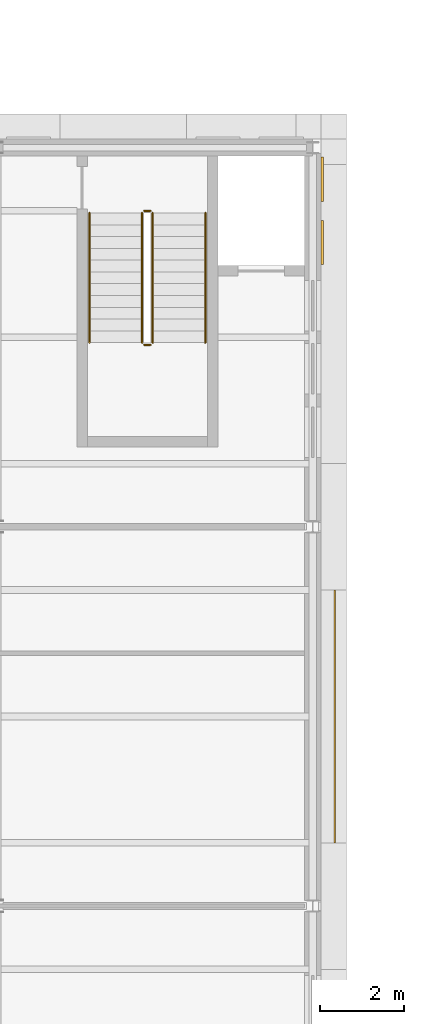
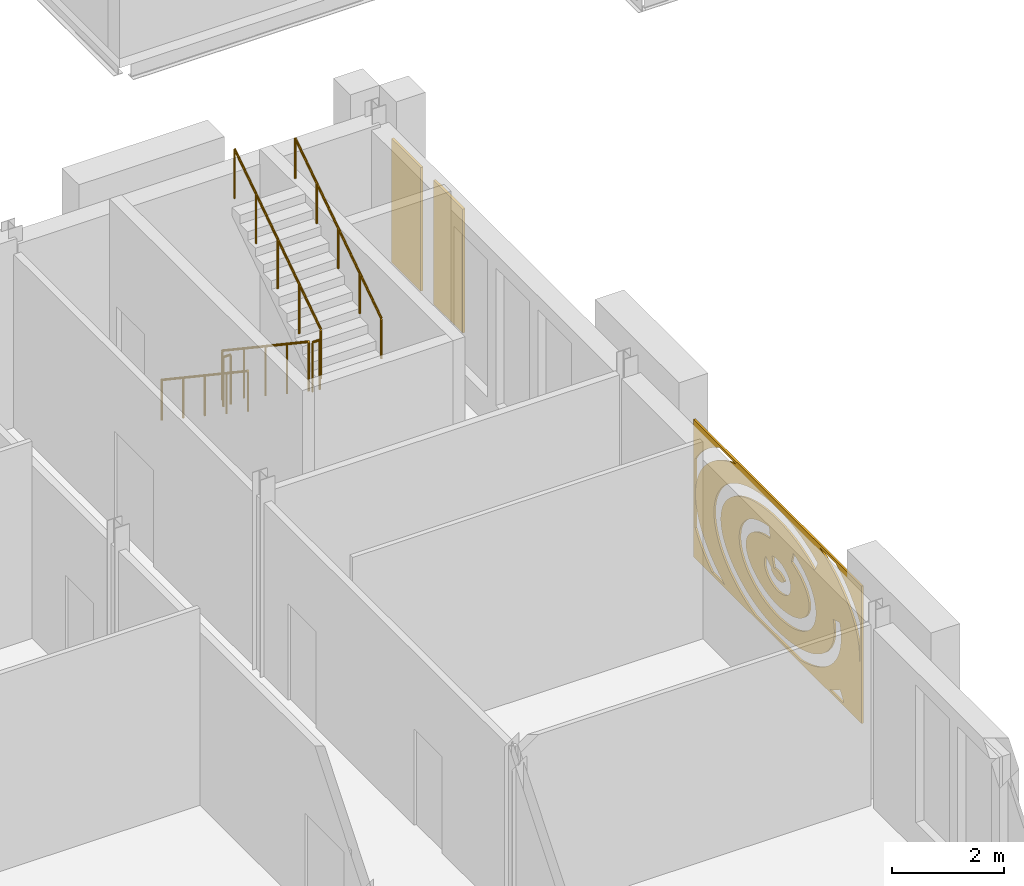
# One storey, part 118 of 134: 6 railings, 3 coverings.
"""IFC4 building model written with IfcOpenShell, lengths in metres."""

import ifcopenshell
import ifcopenshell.guid

model = None  # the IFC model being written
_history = None  # IfcOwnerHistory: only IFC2X3 demands one
_inside = {}  # id of a spatial element -> (the spatial element, [elements in it])
_under = {}  # id of a project, library or spatial element -> (it, [spatial elements below it])
_declared = {}  # id of a project -> (the project, [libraries it declares])
_typed = {}  # id of a type object -> (the type object, [elements of that type])
_made_of = {}  # id of a material, layer set ... -> (it, [elements and type objects made of it])


def new_model(schema):
    """Start an empty IFC model of exactly this schema.

    Asked for "IFC4X3", IfcOpenShell would pick the latest addendum, in which some entities
    have other attributes; the version numbers below select the first issue.
    IFC2X3 requires an IfcOwnerHistory on every rooted entity: one is made here for all.
    """
    global model, _history
    if schema == "IFC4X3":
        model = ifcopenshell.file(schema_version=(4, 3, 0, 0))
    else:
        model = ifcopenshell.file(schema=schema)
    _inside.clear()
    _under.clear()
    _declared.clear()
    _typed.clear()
    _made_of.clear()
    _history = None
    if model.schema == "IFC2X3":
        org = make("IfcOrganization", Name="unknown")
        user = make(
            "IfcPersonAndOrganization",
            ThePerson=make("IfcPerson", FamilyName="unknown"),
            TheOrganization=org,
        )
        app = make(
            "IfcApplication",
            ApplicationDeveloper=org,
            Version="unknown",
            ApplicationFullName="unknown",
            ApplicationIdentifier="unknown",
        )
        _history = make(
            "IfcOwnerHistory",
            OwningUser=user,
            OwningApplication=app,
            ChangeAction="ADDED",
            CreationDate=0,
        )
    return model


def make(cls, **values):
    """One entity of the class cls with the attributes given. An attribute that is None is left unset."""
    return model.create_entity(
        cls, **{name: value for name, value in values.items() if value is not None}
    )


def rooted(cls, **values):
    """An entity with a GlobalId (a new one), such as an element, a storey or a relation."""
    return make(cls, GlobalId=ifcopenshell.guid.new(), OwnerHistory=_history, **values)


def si_unit(unit_type, name, prefix=None):
    """IfcSIUnit, for example si_unit("LENGTHUNIT", "METRE", prefix="MILLI")."""
    return make("IfcSIUnit", UnitType=unit_type, Prefix=prefix, Name=name)


def assignment(units):
    """IfcUnitAssignment: the units of a project."""
    return None if units is None else make("IfcUnitAssignment", Units=units)


def point(xyz):
    """IfcCartesianPoint."""
    return None if xyz is None else make("IfcCartesianPoint", Coordinates=xyz)


def direction(xyz):
    """IfcDirection."""
    return None if xyz is None else make("IfcDirection", DirectionRatios=xyz)


def frame(location, z_axis=None, x_axis=None):
    """IfcAxis2Placement3D, a coordinate frame: its origin and axes. An axis left out is left unset."""
    return make(
        "IfcAxis2Placement3D",
        Location=point(location),
        Axis=direction(z_axis),
        RefDirection=direction(x_axis),
    )


def frame_2d(location, x_axis=None):
    """IfcAxis2Placement2D, a coordinate frame in the plane: its origin and x axis."""
    return make(
        "IfcAxis2Placement2D", Location=point(location), RefDirection=direction(x_axis)
    )


def origin():
    """The frame at (0, 0, 0) with its axes left unset."""
    return frame((0.0, 0.0, 0.0))


def origin_2d():
    """The frame at (0, 0) in the plane with its x axis left unset."""
    return frame_2d((0.0, 0.0))


def place(relative_to, where):
    """IfcLocalPlacement: puts the frame where relative to a parent placement (None: the world)."""
    return make(
        "IfcLocalPlacement", PlacementRelTo=relative_to, RelativePlacement=where
    )


def context(
    kind, dimensions, precision=None, world=None, true_north=None, identifier=None
):
    """IfcGeometricRepresentationContext, for example the 3D "Model" context."""
    return make(
        "IfcGeometricRepresentationContext",
        ContextIdentifier=identifier,
        ContextType=kind,
        CoordinateSpaceDimension=dimensions,
        Precision=precision,
        WorldCoordinateSystem=world,
        TrueNorth=true_north,
    )


def subcontext(parent, identifier, kind, view, scale=None):
    """IfcGeometricRepresentationSubContext, for example "Body" below "Model"."""
    return make(
        "IfcGeometricRepresentationSubContext",
        ContextIdentifier=identifier,
        ContextType=kind,
        ParentContext=parent,
        TargetScale=scale,
        TargetView=view,
    )


def project(units=None, contexts=None):
    """IfcProject with its units and contexts."""
    return rooted(
        "IfcProject",
        Name="project",
        RepresentationContexts=contexts,
        UnitsInContext=assignment(units),
    )


def spatial(cls, under=None, at=None, **own):
    """A site, building, storey or space (cls), placed at a placement, below another one or the project."""
    s = rooted(cls, ObjectPlacement=at, **own)
    if under is not None:
        _under.setdefault(under.id(), (under, []))[1].append(s)
    return s


def polyline(points):
    """IfcPolyline through the points."""
    return make("IfcPolyline", Points=[point(p) for p in points])


def profile(cls, at=None, kind="AREA", **sizes):
    """A parametric profile (cls). Its sizes go by their IFC names, for example OverallWidth=200.0."""
    return make(cls, ProfileType=kind, Position=at, **sizes)


def circle(**sizes):
    """IfcCircleProfileDef."""
    return profile("IfcCircleProfileDef", **sizes)


def outline(outer, holes=None, kind="AREA"):
    """IfcArbitraryClosedProfileDef: a profile drawn as a closed curve; with holes, ...WithVoids."""
    if holes is None:
        return make("IfcArbitraryClosedProfileDef", ProfileType=kind, OuterCurve=outer)
    return make(
        "IfcArbitraryProfileDefWithVoids",
        ProfileType=kind,
        OuterCurve=outer,
        InnerCurves=holes,
    )


def extrude(swept, where, along, depth):
    """IfcExtrudedAreaSolid: the profile swept, set in the frame where, extruded along a direction by depth."""
    return make(
        "IfcExtrudedAreaSolid",
        SweptArea=swept,
        Position=where,
        ExtrudedDirection=direction(along),
        Depth=depth,
    )


def shape(context_of_items, identifier, shape_type, items):
    """IfcShapeRepresentation: the items that make up one representation, for example the "Body"."""
    return make(
        "IfcShapeRepresentation",
        ContextOfItems=context_of_items,
        RepresentationIdentifier=identifier,
        RepresentationType=shape_type,
        Items=items,
    )


def material(Name=None, Category=None):
    """IfcMaterial."""
    return make("IfcMaterial", Name=Name, Category=Category)


def layer(
    of_material, thickness, ventilated=None, Name=None, Category=None, Priority=None
):
    """IfcMaterialLayer: one layer of a wall or slab, of a material (None: an air gap)."""
    return make(
        "IfcMaterialLayer",
        Material=of_material,
        LayerThickness=thickness,
        IsVentilated=ventilated,
        Name=Name,
        Category=Category,
        Priority=Priority,
    )


def layer_set(layers, Name=None):
    """IfcMaterialLayerSet."""
    return make("IfcMaterialLayerSet", MaterialLayers=layers, LayerSetName=Name)


def made_of(thing, what):
    """Note that an element or type object is made of a material, layer set ...; save() writes the relation."""
    if what is not None:
        _made_of.setdefault(what.id(), (what, []))[1].append(thing)
    return thing


def type_object(cls, material=None, **own):
    """A type object (cls), such as IfcWallType, which elements share."""
    return made_of(rooted(cls, **own), material)


def element(
    cls,
    number,
    at=None,
    inside=None,
    cuts=None,
    type_object=None,
    material=None,
    context=None,
    identifier="Body",
    shape_type=None,
    held_by="IfcProductDefinitionShape",
    body=None,
    shapes=None,
    **own,
):
    """One element of the class cls, such as IfcWall. Its Tag is "e" and its number.

    at: its placement. inside: the storey or other place that contains it. cuts: it is an
    opening in that element (IfcRelVoidsElement). A single representation is given by context,
    identifier, shape_type and body (its items); several are given by shapes. held_by: the class
    of the entity that holds the representations. save() writes the other relations.
    """
    e = rooted(cls, Tag="e%d" % number, ObjectPlacement=at, **own)
    if body is not None:
        shapes = [shape(context, identifier, shape_type, body)]
    if shapes is not None:
        e.Representation = make(held_by, Representations=shapes)
    if inside is not None:
        _inside.setdefault(inside.id(), (inside, []))[1].append(e)
    if cuts is not None:
        rooted(
            "IfcRelVoidsElement", RelatingBuildingElement=cuts, RelatedOpeningElement=e
        )
    if type_object is not None:
        _typed.setdefault(type_object.id(), (type_object, []))[1].append(e)
    return made_of(e, material)


def aggregate(whole, parts):
    """IfcRelAggregates: a whole, such as a stair, and the parts it consists of."""
    return rooted("IfcRelAggregates", RelatingObject=whole, RelatedObjects=parts)


def save(model, path):
    """Write the relations noted so far, then the file.

    IfcRelAggregates (storeys below a building ...), IfcRelContainedInSpatialStructure (elements
    in a storey), IfcRelDefinesByType, IfcRelAssociatesMaterial and IfcRelDeclares: one each for
    every whole, place, type object, material and project.
    """
    for whole, parts in _under.values():
        aggregate(whole, parts)
    for where, things in _inside.values():
        rooted(
            "IfcRelContainedInSpatialStructure",
            RelatedElements=things,
            RelatingStructure=where,
        )
    for kind, things in _typed.values():
        rooted("IfcRelDefinesByType", RelatedObjects=things, RelatingType=kind)
    for what, things in _made_of.values():
        rooted("IfcRelAssociatesMaterial", RelatedObjects=things, RelatingMaterial=what)
    for by, libraries in _declared.values():
        rooted("IfcRelDeclares", RelatingContext=by, RelatedDefinitions=libraries)
    model.write(path)


model = new_model("IFC4")

# Units and contexts
model_context = context("Model", 3, precision=1e-05, world=origin(), true_north=direction((0.0, 1.0)))
body_context = subcontext(model_context, "Body", "Model", "MODEL_VIEW")
ifc_project = project(units=[si_unit("LENGTHUNIT", "METRE"), si_unit("AREAUNIT", "SQUARE_METRE"), si_unit("VOLUMEUNIT", "CUBIC_METRE"), si_unit("PLANEANGLEUNIT", "RADIAN"), si_unit("MASSUNIT", "GRAM", prefix="KILO")], contexts=[model_context])

# Site, building, storey
site_placement = place(None, origin())
site = spatial("IfcSite", under=ifc_project, at=site_placement, CompositionType="ELEMENT")
building_placement = place(site_placement, origin())
building = spatial("IfcBuilding", under=site, at=building_placement, Name="Golden Quay Civic Hall", CompositionType="ELEMENT")
storey_placement = place(building_placement, frame((0.0, 0.0, 5.39990234375)))
storey = spatial("IfcBuildingStorey", under=building, at=storey_placement, Name="L01", CompositionType="ELEMENT", Elevation=5.39990234375)

# Covering
ifc_material_1 = material(Name="Aluminium, golden anodised, perforated", Category="aluminium")
ifc_layer_1 = layer(ifc_material_1, 0.0400390625)
ifc_layer_set_1 = layer_set([ifc_layer_1], Name="Perforated screen panel 6000 x 3000 x 40")
covering_type_1 = type_object("IfcCoveringType", Name="Perforated screen panel 6000 x 3000 x 40", PredefinedType="CLADDING", material=ifc_layer_set_1)
covering_1_placement = place(storey_placement, frame((117.5, 40.5, 2.10009765625), z_axis=(1.0, 0.0, 0.0), x_axis=(0.0, 1.0, 0.0)))
element("IfcCovering", 1, at=covering_1_placement, inside=storey, type_object=covering_type_1, Name="Perforated screen panel 6000 x 3000 x 40 L01 9", PredefinedType="CLADDING", context=body_context, shape_type="SweptSolid", body=[
    extrude(outline(polyline([(-3.0, -1.5), (3.0, -1.5), (3.0, 1.5), (-3.0, 1.5), (-3.0, -1.5)]), holes=[polyline([(0.0810546875, 0.0087890625), (0.03125, 0.015380859375), (-0.02001953125, 0.01611328125), (-0.070556640625, 0.0107421875), (-0.1171875, 0.0), (-0.157470703125, -0.014892578125), (-0.201904296875, -0.04150390625), (-0.223876953125, -0.065185546875), (-0.228515625, -0.07470703125), (-0.228271484375, -0.085205078125), (-0.211181640625, -0.10986328125), (-0.17431640625, -0.13671875), (-0.1376953125, -0.1533203125), (-0.093994140625, -0.166259765625), (-0.044921875, -0.17431640625), (0.006103515625, -0.176513671875), (0.05712890625, -0.1728515625), (0.10498046875, -0.16357421875), (0.1474609375, -0.1494140625), (0.1953125, -0.123291015625), (0.215087890625, -0.10595703125), (0.227783203125, -0.087158203125), (0.227783203125, -0.072998046875), (0.2177734375, -0.055908203125), (0.421630859375, 0.072509765625), (0.449951171875, 0.020263671875), (0.4619140625, -0.015380859375), (0.46875, -0.052978515625), (0.469970703125, -0.09130859375), (0.46533203125, -0.12939453125), (0.455322265625, -0.16650390625), (0.440185546875, -0.20166015625), (0.412109375, -0.24560546875), (0.370849609375, -0.29052734375), (0.3330078125, -0.321044921875), (0.277587890625, -0.3544921875), (0.206787109375, -0.38427734375), (0.162109375, -0.397705078125), (0.085205078125, -0.412109375), (0.006103515625, -0.41748046875), (-0.0732421875, -0.41357421875), (-0.151123046875, -0.400146484375), (-0.2177734375, -0.380615234375), (-0.28662109375, -0.349853515625), (-0.326904296875, -0.3251953125), (-0.3759765625, -0.285888671875), (-0.40966796875, -0.248779296875), (-0.441650390625, -0.198486328125), (-0.461181640625, -0.147705078125), (-0.47021484375, -0.089599609375), (-0.466064453125, -0.033447265625), (-0.448974609375, 0.02294921875), (-0.431640625, 0.056884765625), (-0.41015625, 0.088134765625), (-0.37646484375, 0.125244140625), (-0.319091796875, 0.17041015625), (-0.253662109375, 0.2060546875), (-0.18212890625, 0.232177734375), (-0.144775390625, 0.24169921875), (-0.07421875, 0.25341796875), (0.01220703125, 0.25732421875), (0.084228515625, 0.252197265625), (0.123046875, 0.24609375), (0.1982421875, 0.227294921875), (0.13037109375, -0.00390625), (0.0810546875, 0.0087890625)]), polyline([(-0.6474609375, 0.453369140625), (-0.7177734375, 0.421875), (-0.783447265625, 0.387451171875), (-0.84423828125, 0.350341796875), (-0.8994140625, 0.31103515625), (-0.948974609375, 0.27001953125), (-0.992431640625, 0.227294921875), (-1.02978515625, 0.18359375), (-1.061279296875, 0.139404296875), (-1.08642578125, 0.0947265625), (-1.105712890625, 0.050048828125), (-1.119140625, 0.005615234375), (-1.126953125, -0.03857421875), (-1.12939453125, -0.082763671875), (-1.126220703125, -0.126953125), (-1.117919921875, -0.171142578125), (-1.103515625, -0.215576171875), (-1.083740234375, -0.26025390625), (-1.0576171875, -0.3046875), (-1.025634765625, -0.34912109375), (-0.9873046875, -0.392578125), (-0.943115234375, -0.43505859375), (-0.892822265625, -0.47607421875), (-0.8369140625, -0.51513671875), (-0.775634765625, -0.5517578125), (-0.709228515625, -0.5859375), (-0.638427734375, -0.6171875), (-0.5634765625, -0.64501953125), (-0.48486328125, -0.66943359375), (-0.403076171875, -0.690185546875), (-0.318603515625, -0.707275390625), (-0.232177734375, -0.72021484375), (-0.144287109375, -0.72900390625), (-0.055419921875, -0.733642578125), (0.03369140625, -0.734130859375), (0.122802734375, -0.73046875), (0.2109375, -0.72265625), (0.2978515625, -0.710693359375), (0.3828125, -0.694580078125), (0.46533203125, -0.6748046875), (0.544677734375, -0.6513671875), (0.62060546875, -0.624267578125), (0.692626953125, -0.59375), (0.760009765625, -0.560302734375), (0.822509765625, -0.524169921875), (0.8798828125, -0.485595703125), (0.931396484375, -0.4453125), (0.977294921875, -0.403076171875), (1.016845703125, -0.359619140625), (1.050537109375, -0.315673828125), (1.077880859375, -0.27099609375), (1.099365234375, -0.226318359375), (1.114990234375, -0.181884765625), (1.124755859375, -0.1376953125), (1.129150390625, -0.093505859375), (1.1279296875, -0.04931640625), (1.12158203125, -0.005126953125), (1.109619140625, 0.039306640625), (1.091796875, 0.083984375), (1.06787109375, 0.12841796875), (1.0380859375, 0.1728515625), (1.002197265625, 0.216796875), (0.9599609375, 0.259765625), (0.911865234375, 0.30126953125), (0.858154296875, 0.341064453125), (0.798583984375, 0.378662109375), (0.734130859375, 0.413818359375), (0.6650390625, 0.446044921875), (0.59130859375, 0.47509765625), (0.513916015625, 0.5009765625), (0.433349609375, 0.523193359375), (0.349853515625, 0.54150390625), (0.26123046875, 0.556396484375), (0.30126953125, 0.7939453125), (0.392822265625, 0.778564453125), (0.488037109375, 0.7578125), (0.587158203125, 0.73046875), (0.670654296875, 0.70263671875), (0.757080078125, 0.668701171875), (0.83935546875, 0.630615234375), (0.92431640625, 0.584228515625), (0.997802734375, 0.537353515625), (1.05859375, 0.4921875), (1.121337890625, 0.438720703125), (1.177734375, 0.381591796875), (1.23486328125, 0.31201171875), (1.277587890625, 0.2470703125), (1.307373046875, 0.19140625), (1.335693359375, 0.122314453125), (1.35595703125, 0.051025390625), (1.36865234375, -0.0361328125), (1.369384765625, -0.109619140625), (1.361328125, -0.182861328125), (1.344482421875, -0.254638671875), (1.32470703125, -0.31201171875), (1.286376953125, -0.39208984375), (1.245849609375, -0.456787109375), (1.205322265625, -0.510009765625), (1.14404296875, -0.576904296875), (1.083984375, -0.6318359375), (1.025146484375, -0.677978515625), (0.946533203125, -0.730712890625), (0.870361328125, -0.7744140625), (0.79638671875, -0.811279296875), (0.704833984375, -0.849853515625), (0.616455078125, -0.88134765625), (0.524658203125, -0.908203125), (0.430419921875, -0.930908203125), (0.339599609375, -0.947998046875), (0.2353515625, -0.96240234375), (0.135498046875, -0.97119140625), (0.035400390625, -0.97509765625), (-0.0595703125, -0.974609375), (-0.159912109375, -0.969482421875), (-0.264892578125, -0.958740234375), (-0.357421875, -0.945068359375), (-0.453369140625, -0.92578125), (-0.55322265625, -0.900390625), (-0.63818359375, -0.8740234375), (-0.725830078125, -0.841796875), (-0.809814453125, -0.804931640625), (-0.889404296875, -0.764404296875), (-0.96435546875, -0.719482421875), (-1.034423828125, -0.6708984375), (-1.09912109375, -0.618896484375), (-1.15771484375, -0.56298828125), (-1.21728515625, -0.4951171875), (-1.2626953125, -0.431396484375), (-1.30078125, -0.364501953125), (-1.326416015625, -0.307861328125), (-1.349609375, -0.2373046875), (-1.3662109375, -0.150634765625), (-1.3701171875, -0.091796875), (-1.3671875, -0.018310546875), (-1.351806640625, 0.068603515625), (-1.32958984375, 0.13916015625), (-1.29931640625, 0.20751953125), (-1.261474609375, 0.2734375), (-1.223388671875, 0.327392578125), (-1.171875, 0.38818359375), (-1.114013671875, 0.445556640625), (-1.042724609375, 0.504638671875), (-0.973388671875, 0.5537109375), (-0.89892578125, 0.598876953125), (-0.81982421875, 0.64013671875), (-0.736328125, 0.67724609375), (-0.649169921875, 0.710205078125), (-0.564697265625, 0.7373046875), (-0.49169921875, 0.507568359375), (-0.572998046875, 0.481689453125), (-0.6474609375, 0.453369140625)]), polyline([(-2.023193359375, 0.012939453125), (-2.029052734375, -0.059814453125), (-2.02734375, -0.13232421875), (-2.018310546875, -0.205078125), (-2.001708984375, -0.277587890625), (-1.977294921875, -0.349853515625), (-1.9453125, -0.421875), (-1.905517578125, -0.492919921875), (-1.85791015625, -0.563232421875), (-1.802734375, -0.632080078125), (-1.739990234375, -0.69921875), (-1.669921875, -0.764404296875), (-1.592529296875, -0.8271484375), (-1.50830078125, -0.886962890625), (-1.417724609375, -0.94384765625), (-1.32080078125, -0.997314453125), (-1.218017578125, -1.046875), (-1.110107421875, -1.092529296875), (-0.997314453125, -1.1337890625), (-0.88037109375, -1.1708984375), (-0.759521484375, -1.203125), (-0.635009765625, -1.230712890625), (-0.508056640625, -1.25341796875), (-0.37890625, -1.27099609375), (-0.248046875, -1.283203125), (-0.115966796875, -1.29052734375), (0.0166015625, -1.29248046875), (0.14892578125, -1.289306640625), (0.280517578125, -1.28076171875), (0.4111328125, -1.26708984375), (0.539794921875, -1.248291015625), (0.666259765625, -1.224365234375), (0.789794921875, -1.195556640625), (0.909912109375, -1.162109375), (1.02587890625, -1.1240234375), (1.137451171875, -1.08154296875), (1.244140625, -1.034912109375), (1.345458984375, -0.984130859375), (1.44091796875, -0.929931640625), (1.52978515625, -0.872314453125), (1.6123046875, -0.811767578125), (1.68798828125, -0.748291015625), (1.75634765625, -0.6826171875), (1.817138671875, -0.614990234375), (1.87060546875, -0.5458984375), (1.916015625, -0.475341796875), (1.953857421875, -0.404052734375), (1.98388671875, -0.33203125), (2.00634765625, -0.259521484375), (2.021240234375, -0.18701171875), (2.028564453125, -0.1142578125), (2.0283203125, -0.04150390625), (2.0205078125, 0.031005859375), (2.00537109375, 0.103759765625), (1.982421875, 0.176025390625), (1.951904296875, 0.248046875), (1.913818359375, 0.3193359375), (1.86767578125, 0.389892578125), (1.81396484375, 0.458984375), (1.752685546875, 0.5263671875), (1.683837890625, 0.592041015625), (1.60791015625, 0.6552734375), (1.525146484375, 0.7158203125), (1.435546875, 0.773193359375), (1.33984375, 0.8271484375), (1.23828125, 0.87744140625), (1.13134765625, 0.924072265625), (1.01953125, 0.96630859375), (0.9033203125, 1.004150390625), (0.782958984375, 1.037353515625), (0.6591796875, 1.06591796875), (0.53271484375, 1.08935546875), (0.40380859375, 1.10791015625), (0.273193359375, 1.121337890625), (0.1416015625, 1.12939453125), (0.009033203125, 1.132568359375), (-0.123291015625, 1.130126953125), (-0.25537109375, 1.122802734375), (-0.385986328125, 1.110107421875), (-0.515380859375, 1.09228515625), (-0.64208984375, 1.0693359375), (-0.76611328125, 1.04150390625), (-0.886962890625, 1.0087890625), (-1.00390625, 0.9716796875), (-1.116455078125, 0.929931640625), (-1.22412109375, 0.884033203125), (-1.3291015625, 0.8330078125), (-1.434814453125, 1.04931640625), (-1.3212890625, 1.1044921875), (-1.208251953125, 1.15283203125), (-1.07958984375, 1.200439453125), (-0.952392578125, 1.24072265625), (-0.821533203125, 1.27587890625), (-0.6923828125, 1.304931640625), (-0.55078125, 1.33056640625), (-0.411865234375, 1.349609375), (-0.276123046875, 1.36279296875), (-0.1298828125, 1.37109375), (0.00732421875, 1.373291015625), (0.1494140625, 1.370361328125), (0.290771484375, 1.361572265625), (0.430908203125, 1.347412109375), (0.574462890625, 1.32666015625), (0.705810546875, 1.30224609375), (0.839599609375, 1.271484375), (0.97509765625, 1.23388671875), (1.0966796875, 1.194580078125), (1.21923828125, 1.148193359375), (1.3427734375, 1.0947265625), (1.449951171875, 1.04150390625), (1.556884765625, 0.981201171875), (1.664306640625, 0.912353515625), (1.753173828125, 0.847412109375), (1.841064453125, 0.774658203125), (1.927978515625, 0.691650390625), (1.99560546875, 0.617431640625), (2.06103515625, 0.53369140625), (2.12353515625, 0.437744140625), (2.1669921875, 0.357177734375), (2.20654296875, 0.264892578125), (2.239990234375, 0.158935546875), (2.257568359375, 0.07470703125), (2.2685546875, -0.0224609375), (2.26953125, -0.119873046875), (2.258544921875, -0.229248046875), (2.23828125, -0.3251953125), (2.20849609375, -0.419677734375), (2.169189453125, -0.511962890625), (2.12109375, -0.601806640625), (2.064453125, -0.68896484375), (1.999267578125, -0.772705078125), (1.926513671875, -0.853515625), (1.845947265625, -0.930419921875), (1.75830078125, -1.003662109375), (1.669677734375, -1.068603515625), (1.568603515625, -1.134033203125), (1.461669921875, -1.1953125), (1.34912109375, -1.251708984375), (1.2314453125, -1.303466796875), (1.10888671875, -1.35009765625), (0.982421875, -1.391845703125), (0.802490234375, -1.43994140625), (-0.80419921875, -1.43994140625), (-0.9501953125, -1.4013671875), (-1.072509765625, -1.36279296875), (-1.196044921875, -1.317626953125), (-1.3203125, -1.264892578125), (-1.4287109375, -1.212646484375), (-1.536865234375, -1.153076171875), (-1.645263671875, -1.085205078125), (-1.7353515625, -1.02099609375), (-1.82470703125, -0.948974609375), (-1.9130859375, -0.86669921875), (-1.98779296875, -0.786376953125), (-2.049072265625, -0.7099609375), (-2.10791015625, -0.623779296875), (-2.1630859375, -0.52490234375), (-2.19970703125, -0.44287109375), (-2.231689453125, -0.348876953125), (-2.25439453125, -0.253173828125), (-2.26806640625, -0.14404296875), (-2.269775390625, -0.046630859375), (-2.26123046875, 0.050537109375), (-2.242919921875, 0.146728515625), (-2.21875, 0.230712890625), (-1.9873046875, 0.163818359375), (-2.010009765625, 0.085693359375), (-2.023193359375, 0.012939453125)]), polyline([(-2.008056640625, -1.365478515625), (-1.868408203125, -1.43994140625), (-2.34033203125, -1.43994140625), (-2.369140625, -1.42041015625), (-2.234619140625, -1.220703125), (-2.123291015625, -1.2958984375), (-2.008056640625, -1.365478515625)]), polyline([(1.86865234375, -1.43994140625), (2.0029296875, -1.368408203125), (2.118408203125, -1.298828125), (2.227294921875, -1.225830078125), (2.3291015625, -1.1494140625), (2.423583984375, -1.06982421875), (2.510498046875, -0.98779296875), (2.589599609375, -0.9033203125), (2.660400390625, -0.816650390625), (2.723388671875, -0.728271484375), (2.77783203125, -0.63818359375), (2.823974609375, -0.54736328125), (2.86181640625, -0.455322265625), (2.89111328125, -0.36279296875), (2.912353515625, -0.269775390625), (2.925048828125, -0.176513671875), (2.929443359375, -0.0830078125), (2.925537109375, 0.010498046875), (2.913330078125, 0.10400390625), (2.892822265625, 0.197021484375), (2.864013671875, 0.28955078125), (2.82666015625, 0.381591796875), (2.781005859375, 0.47265625), (2.726806640625, 0.5625), (2.66455078125, 0.651123046875), (2.593994140625, 0.73779296875), (2.515625, 0.822509765625), (2.42919921875, 0.90478515625), (2.335205078125, 0.984619140625), (2.23388671875, 1.06103515625), (2.12548828125, 1.134521484375), (2.01025390625, 1.2041015625), (1.888671875, 1.27001953125), (1.760986328125, 1.331787109375), (1.6279296875, 1.389404296875), (1.495849609375, 1.43994140625), (2.080810546875, 1.43994140625), (2.252685546875, 1.339111328125), (2.371337890625, 1.2587890625), (2.483154296875, 1.1748046875), (2.587646484375, 1.08642578125), (2.6845703125, 0.994384765625), (2.778564453125, 0.892822265625), (2.859130859375, 0.793212890625), (2.93994140625, 0.67578125), (2.93994140625, -0.83544921875), (2.849365234375, -0.966064453125), (2.76806640625, -1.064697265625), (2.683837890625, -1.155029296875), (2.586669921875, -1.247314453125), (2.481689453125, -1.3359375), (2.34033203125, -1.43994140625), (1.86865234375, -1.43994140625)]), polyline([(-1.616943359375, 1.393798828125), (-1.75048828125, 1.336669921875), (-1.878662109375, 1.275146484375), (-2.00048828125, 1.209716796875), (-2.1162109375, 1.14013671875), (-2.225341796875, 1.067138671875), (-2.327392578125, 0.99072265625), (-2.421875, 0.911376953125), (-2.5087890625, 0.829345703125), (-2.588134765625, 0.744873046875), (-2.6591796875, 0.658203125), (-2.72216796875, 0.56982421875), (-2.77685546875, 0.47998046875), (-2.8232421875, 0.388916015625), (-2.861083984375, 0.297119140625), (-2.890625, 0.20458984375), (-2.912109375, 0.111328125), (-2.9248046875, 0.01806640625), (-2.929443359375, -0.075439453125), (-2.925537109375, -0.17431640625), (-2.93994140625, -0.1748046875), (-2.93994140625, 0.67529296875), (-2.85302734375, 0.801513671875), (-2.771728515625, 0.90087890625), (-2.677001953125, 1.001953125), (-2.579345703125, 1.09375), (-2.474365234375, 1.181640625), (-2.362060546875, 1.265380859375), (-2.247802734375, 1.342041015625), (-2.080810546875, 1.43994140625), (-1.4951171875, 1.43994140625), (-1.616943359375, 1.393798828125)])]), origin(), (0.0, 0.0, 1.0), 0.0400390625),
])

# Railings
ifc_material_2 = material(Name="Steel S355", Category="steel")
railing_type_1 = type_object("IfcRailingType", Name="Steel guard 1100", PredefinedType="GUARDRAIL", material=ifc_material_2)
railing_1_placement = place(storey_placement, frame((112.949951171875, 52.449951171875, 0.1875)))
element("IfcRailing", 2, at=railing_1_placement, inside=storey, type_object=railing_type_1, Name="L01 EM-N stair guard 1", PredefinedType="GUARDRAIL", context=body_context, shape_type="SweptSolid", body=[
    extrude(circle(Radius=0.02392578125, at=origin_2d()), frame((0.0, 0.0, 1.076171875), z_axis=(0.0, -0.830893310487, 0.556431762742), x_axis=(1.0, 0.0, 0.0)), (0.0, 0.0, 1.0), 3.70654296875),
    extrude(circle(Radius=0.02099609375, at=origin_2d()), origin(), (0.0, 0.0, 1.0), 1.052001953125),
    extrude(circle(Radius=0.02099609375, at=origin_2d()), frame((0.0, -0.77001953125, 0.515625)), (0.0, 0.0, 1.0), 1.052001953125),
    extrude(circle(Radius=0.02099609375, at=origin_2d()), frame((0.0, -1.5400390625, 1.03125)), (0.0, 0.0, 1.0), 1.052001953125),
    extrude(circle(Radius=0.02099609375, at=origin_2d()), frame((0.0, -2.309814453125, 1.546875)), (0.0, 0.0, 1.0), 1.052001953125),
    extrude(circle(Radius=0.02099609375, at=origin_2d()), frame((0.0, -3.079833984375, 2.0625)), (0.0, 0.0, 1.0), 1.052001953125),
])
railing_2_placement = place(storey_placement, frame((113.0, 49.320068359375, 2.25)))
element("IfcRailing", 3, at=railing_2_placement, inside=storey, type_object=railing_type_1, Name="L01 EM-N stair guard 2", PredefinedType="GUARDRAIL", context=body_context, shape_type="SweptSolid", body=[
    extrude(circle(Radius=0.02392578125, at=origin_2d()), frame((0.0, 0.0, 1.076171875), z_axis=(1.0, 0.0, 0.0), x_axis=(0.0, 1.0, 0.0)), (0.0, 0.0, 1.0), 0.14990234375),
    extrude(circle(Radius=0.02099609375, at=origin_2d()), origin(), (0.0, 0.0, 1.0), 1.052001953125),
    extrude(circle(Radius=0.02099609375, at=origin_2d()), frame((0.14990234375, 0.0, 0.0)), (0.0, 0.0, 1.0), 1.052001953125),
])
railing_3_placement = place(storey_placement, frame((113.199951171875, 49.3701171875, 2.4375)))
element("IfcRailing", 4, at=railing_3_placement, inside=storey, type_object=railing_type_1, Name="L01 EM-N stair guard 3", PredefinedType="GUARDRAIL", context=body_context, shape_type="SweptSolid", body=[
    extrude(circle(Radius=0.02392578125, at=origin_2d()), frame((0.0, 0.0, 1.076171875), z_axis=(0.0, 0.830893310487, 0.556431762742), x_axis=(-1.0, 0.0, 0.0)), (0.0, 0.0, 1.0), 3.70654296875),
    extrude(circle(Radius=0.02099609375, at=origin_2d()), origin(), (0.0, 0.0, 1.0), 1.052001953125),
    extrude(circle(Radius=0.02099609375, at=origin_2d()), frame((0.0, 0.77001953125, 0.515625)), (0.0, 0.0, 1.0), 1.052001953125),
    extrude(circle(Radius=0.02099609375, at=origin_2d()), frame((0.0, 1.5400390625, 1.03125)), (0.0, 0.0, 1.0), 1.052001953125),
    extrude(circle(Radius=0.02099609375, at=origin_2d()), frame((0.0, 2.309814453125, 1.546875)), (0.0, 0.0, 1.0), 1.052001953125),
    extrude(circle(Radius=0.02099609375, at=origin_2d()), frame((0.0, 3.079833984375, 2.0625)), (0.0, 0.0, 1.0), 1.052001953125),
])
railing_4_placement = place(storey_placement, frame((113.0, 52.5, 0.0)))
element("IfcRailing", 5, at=railing_4_placement, inside=storey, type_object=railing_type_1, Name="L01 EM-N stair guard 4", PredefinedType="GUARDRAIL", context=body_context, shape_type="SweptSolid", body=[
    extrude(circle(Radius=0.02392578125, at=origin_2d()), frame((0.0, 0.0, 1.076171875), z_axis=(1.0, 0.0, 0.0), x_axis=(0.0, 1.0, 0.0)), (0.0, 0.0, 1.0), 0.14990234375),
    extrude(circle(Radius=0.02099609375, at=origin_2d()), origin(), (0.0, 0.0, 1.0), 1.052001953125),
    extrude(circle(Radius=0.02099609375, at=origin_2d()), frame((0.14990234375, 0.0, 0.0)), (0.0, 0.0, 1.0), 1.052001953125),
])
ifc_material_3 = material(Name="Steel S355", Category="steel")
railing_type_2 = type_object("IfcRailingType", Name="Steel handrail 900", PredefinedType="HANDRAIL", material=ifc_material_3)
railing_5_placement = place(storey_placement, frame((111.699951171875, 52.449951171875, 0.1875)))
element("IfcRailing", 6, at=railing_5_placement, inside=storey, type_object=railing_type_2, Name="L01 EM-N stair handrail 1", PredefinedType="HANDRAIL", context=body_context, shape_type="SweptSolid", body=[
    extrude(circle(Radius=0.02392578125, at=origin_2d()), frame((0.0, 0.0, 0.8759765625), z_axis=(0.0, -0.830893310487, 0.556431762742), x_axis=(1.0, 0.0, 0.0)), (0.0, 0.0, 1.0), 3.70654296875),
    extrude(circle(Radius=0.02099609375, at=origin_2d()), origin(), (0.0, 0.0, 1.0), 0.851806640625),
    extrude(circle(Radius=0.02099609375, at=origin_2d()), frame((0.0, -0.77001953125, 0.515625)), (0.0, 0.0, 1.0), 0.851806640625),
    extrude(circle(Radius=0.02099609375, at=origin_2d()), frame((0.0, -1.5400390625, 1.03125)), (0.0, 0.0, 1.0), 0.851806640625),
    extrude(circle(Radius=0.02099609375, at=origin_2d()), frame((0.0, -2.309814453125, 1.546875)), (0.0, 0.0, 1.0), 0.851806640625),
    extrude(circle(Radius=0.02099609375, at=origin_2d()), frame((0.0, -3.079833984375, 2.0625)), (0.0, 0.0, 1.0), 0.851806640625),
])
railing_6_placement = place(storey_placement, frame((114.449951171875, 49.3701171875, 2.4375)))
element("IfcRailing", 7, at=railing_6_placement, inside=storey, type_object=railing_type_2, Name="L01 EM-N stair handrail 2", PredefinedType="HANDRAIL", context=body_context, shape_type="SweptSolid", body=[
    extrude(circle(Radius=0.02392578125, at=origin_2d()), frame((0.0, 0.0, 0.8759765625), z_axis=(0.0, 0.830893310487, 0.556431762742), x_axis=(-1.0, 0.0, 0.0)), (0.0, 0.0, 1.0), 3.70654296875),
    extrude(circle(Radius=0.02099609375, at=origin_2d()), origin(), (0.0, 0.0, 1.0), 0.851806640625),
    extrude(circle(Radius=0.02099609375, at=origin_2d()), frame((0.0, 0.77001953125, 0.515625)), (0.0, 0.0, 1.0), 0.851806640625),
    extrude(circle(Radius=0.02099609375, at=origin_2d()), frame((0.0, 1.5400390625, 1.03125)), (0.0, 0.0, 1.0), 0.851806640625),
    extrude(circle(Radius=0.02099609375, at=origin_2d()), frame((0.0, 2.309814453125, 1.546875)), (0.0, 0.0, 1.0), 0.851806640625),
    extrude(circle(Radius=0.02099609375, at=origin_2d()), frame((0.0, 3.079833984375, 2.0625)), (0.0, 0.0, 1.0), 0.851806640625),
])

# Coverings
ifc_material_4 = material(Name="Terracotta cladding, golden glaze", Category="masonry")
ifc_layer_2 = layer(ifc_material_4, 0.050048828125)
ifc_layer_set_2 = layer_set([ifc_layer_2], Name="Terracotta solid panel 1050 x 2700 x 50")
covering_type_2 = type_object("IfcCoveringType", Name="Terracotta solid panel 1050 x 2700 x 50", PredefinedType="CLADDING", material=ifc_layer_set_2)
covering_2_placement = place(storey_placement, frame((0.0, 0.0, 0.900146484375)))
element("IfcCovering", 8, at=covering_2_placement, inside=storey, type_object=covering_type_2, Name="Terracotta solid panel 1050 x 2700 x 50 L01 32", PredefinedType="CLADDING", context=body_context, shape_type="SweptSolid", body=[
    extrude(outline(polyline([(117.199951171875, 51.22509765625), (117.199951171875, 52.27490234375), (117.25, 52.27490234375), (117.25, 51.22509765625), (117.199951171875, 51.22509765625)])), origin(), (0.0, 0.0, 1.0), 2.699951171875),
])
covering_3_placement = place(storey_placement, frame((0.0, 0.0, 0.900146484375)))
element("IfcCovering", 9, at=covering_3_placement, inside=storey, type_object=covering_type_2, Name="Terracotta solid panel 1050 x 2700 x 50 L01 33", PredefinedType="CLADDING", context=body_context, shape_type="SweptSolid", body=[
    extrude(outline(polyline([(117.199951171875, 52.72509765625), (117.199951171875, 53.77490234375), (117.25, 53.77490234375), (117.25, 52.72509765625), (117.199951171875, 52.72509765625)])), origin(), (0.0, 0.0, 1.0), 2.699951171875),
])

save(model, "model.ifc")
